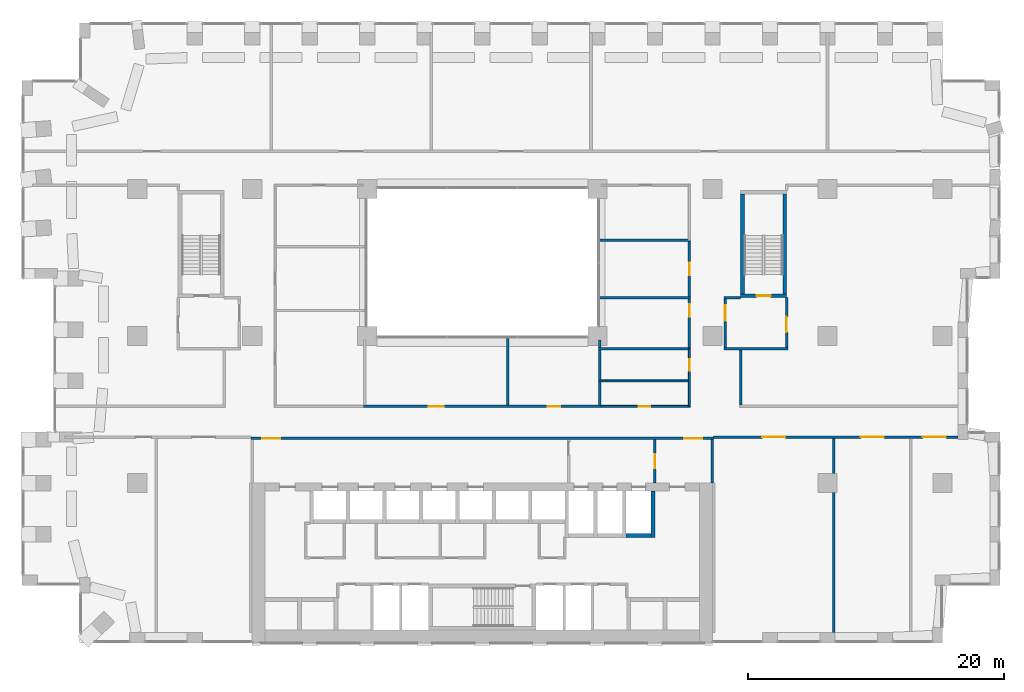
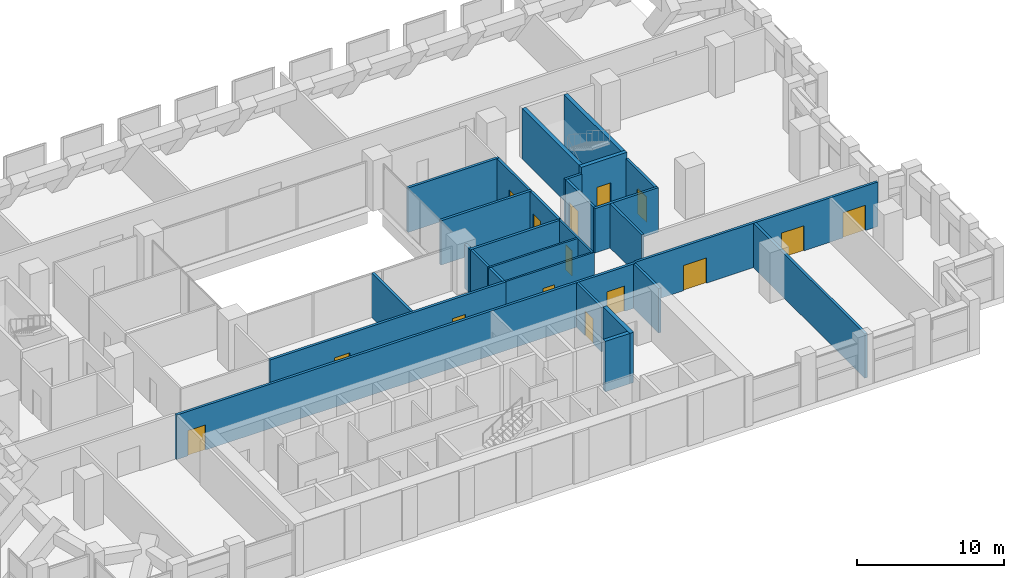
# One storey, part 17 of 20: 27 walls, 15 doors, 15 openings.
"""IFC4 building model written with IfcOpenShell, lengths in metres."""

from ifc_helpers import new_model, si_unit, direction, frame, frame_2d, origin, place, context, subcontext, project, spatial, rectangle, extrude, material, layer, layer_set, type_object, element, fill, save


model = new_model("IFC4")

# Units and contexts
model_context = context("Model", 3, precision=1e-05, world=origin(), true_north=direction((0.0, 1.0)))
body_context = subcontext(model_context, "Body", "Model", "MODEL_VIEW")
ifc_project = project(units=[si_unit("LENGTHUNIT", "METRE"), si_unit("AREAUNIT", "SQUARE_METRE"), si_unit("VOLUMEUNIT", "CUBIC_METRE"), si_unit("PLANEANGLEUNIT", "RADIAN"), si_unit("MASSUNIT", "GRAM", prefix="KILO")], contexts=[model_context])

# Site, building, storey
site_placement = place(None, origin())
site = spatial("IfcSite", under=ifc_project, at=site_placement, CompositionType="ELEMENT")
building_placement = place(site_placement, origin())
building = spatial("IfcBuilding", under=site, at=building_placement, Name="Brigalow Station Residences", CompositionType="ELEMENT")
storey_placement = place(building_placement, frame((0.0, 0.0, 73.050048828125)))
storey = spatial("IfcBuildingStorey", under=building, at=storey_placement, Name="L21", CompositionType="ELEMENT", Elevation=73.050048828125)

# Walls
ifc_material_1 = material(Name="Concrete C80", Category="concrete")
ifc_layer_1 = layer(ifc_material_1, 0.300048828125)
ifc_layer_set_1 = layer_set([ifc_layer_1], Name="CORE SHEAR WALL 300 C80")
wall_type_1 = type_object("IfcWallType", Name="CORE SHEAR WALL 300 C80", PredefinedType="SHEAR", material=ifc_layer_set_1)
wall_1_placement = place(storey_placement, frame((47.25, 8.39990234375, 0.0), z_axis=(0.0, 0.0, 1.0), x_axis=(1.0, 0.0, 0.0)))
element("IfcWall", 1, at=wall_1_placement, inside=storey, type_object=wall_type_1, Name="CORE WALL SH-SL1-S L21", PredefinedType="SHEAR", context=body_context, shape_type="SweptSolid", body=[
    extrude(rectangle(XDim=1.949951171875, YDim=0.300048828125, at=frame_2d((0.97509765625, 0.0))), origin(), (0.0, 0.0, 1.0), 4.199951171875),
])
wall_2_placement = place(storey_placement, frame((49.35009765625, 8.25, 0.0), z_axis=(0.0, 0.0, 1.0), x_axis=(0.0, 1.0, 0.0)))
element("IfcWall", 2, at=wall_2_placement, inside=storey, type_object=wall_type_1, Name="CORE WALL SH-SL1-E L21", PredefinedType="SHEAR", context=body_context, shape_type="SweptSolid", body=[
    extrude(rectangle(XDim=3.64990234375, YDim=0.300048828125, at=frame_2d((1.824951171875, 0.0))), origin(), (0.0, 0.0, 1.0), 4.199951171875),
])

# Wall, opening, door
wall_3_placement = place(storey_placement, frame((56.199951171875, 27.14990234375, 0.0), z_axis=(0.0, 0.0, 1.0), x_axis=(1.0, 0.0, 0.0)))
wall_3 = element("IfcWall", 3, at=wall_3_placement, inside=storey, type_object=wall_type_1, Name="CORE WALL ST-S3-S L21", PredefinedType="SHEAR", context=body_context, shape_type="SweptSolid", body=[
    extrude(rectangle(XDim=3.60009765625, YDim=0.300048828125, at=frame_2d((1.800048828125, 0.0))), origin(), (0.0, 0.0, 1.0), 4.199951171875),
])
opening_1_placement = place(wall_3_placement, frame((1.25, 0.0, 0.0)))
opening_1 = element("IfcOpeningElement", 4, at=opening_1_placement, cuts=wall_3, Name="Opening D-5018", PredefinedType="OPENING", context=body_context, shape_type="SweptSolid", body=[
    extrude(rectangle(XDim=1.10009765625, YDim=2.10009765625, at=frame_2d((0.550048828125, 1.050048828125))), frame((0.0, 0.16015625, 0.0), z_axis=(0.0, -1.0, 0.0), x_axis=(1.0, 0.0, 0.0)), (0.0, 0.0, 1.0), 0.320068359375),
])
ifc_material_2 = material(Name="Steel fire door leaf in steel frame", Category="steel")
door_type_1 = type_object("IfcDoorType", Name="STAIR DOOR 1100 x 2100 FD60S", OperationType="SINGLE_SWING_LEFT", PredefinedType="DOOR", material=ifc_material_2)
door_1_placement = place(opening_1_placement, origin())
door_1 = element("IfcDoor", 5, at=door_1_placement, inside=storey, type_object=door_type_1, Name="D-5018", OperationType="SINGLE_SWING_LEFT", OverallHeight=2.10009765625, OverallWidth=1.10009765625, PredefinedType="DOOR", context=body_context, shape_type="SweptSolid", body=[
    extrude(rectangle(XDim=1.10009765625, YDim=2.10009765625, at=frame_2d((0.550048828125, 1.050048828125))), frame((0.0, 0.02490234375, 0.0), z_axis=(0.0, -1.0, 0.0), x_axis=(1.0, 0.0, 0.0)), (0.0, 0.0, 1.0), 0.050048828125),
])
fill(opening_1, door_1)

# Walls
for number, where, z_axis, x_axis, name in (
    (6, (56.35009765625, 27.300048828125, 0.0), (0.0, 0.0, 1.0), (0.0, 1.0, 0.0), "CORE WALL ST-S3-W L21"),
    (7, (59.64990234375, 27.300048828125, 0.0), (0.0, 0.0, 1.0), (0.0, 1.0, 0.0), "CORE WALL ST-S3-E L21"),
):
    element("IfcWall", number, at=place(storey_placement, frame(where, z_axis=z_axis, x_axis=x_axis)), inside=storey, type_object=wall_type_1, Name=name, PredefinedType="SHEAR", context=body_context, shape_type="SweptSolid", body=[
        extrude(rectangle(XDim=7.800048828125, YDim=0.300048828125, at=frame_2d((3.89990234375, 0.0))), origin(), (0.0, 0.0, 1.0), 4.199951171875),
    ])
ifc_material_3 = material(Name="Concrete blockwork", Category="masonry")
ifc_layer_2 = layer(ifc_material_3, 0.199951171875)
ifc_layer_set_2 = layer_set([ifc_layer_2], Name="FIRE RATED CORE PARTITION 200")
wall_type_2 = type_object("IfcWallType", Name="FIRE RATED CORE PARTITION 200", PredefinedType="PARTITIONING", material=ifc_layer_set_2)
wall_4_placement = place(storey_placement, frame((54.89990234375, 23.0, 0.0), z_axis=(0.0, 0.0, 1.0), x_axis=(1.0, 0.0, 0.0)))
element("IfcWall", 8, at=wall_4_placement, inside=storey, type_object=wall_type_2, Name="PW-5024", PredefinedType="PARTITIONING", context=body_context, shape_type="SweptSolid", body=[
    extrude(rectangle(XDim=5.0, YDim=0.199951171875, at=frame_2d((2.5, 0.0))), origin(), (0.0, 0.0, 1.0), 3.699951171875),
])
wall_5_placement = place(storey_placement, frame((54.89990234375, 27.0, 0.0), z_axis=(0.0, 0.0, 1.0), x_axis=(1.0, 0.0, 0.0)))
element("IfcWall", 9, at=wall_5_placement, inside=storey, type_object=wall_type_2, Name="PW-5026", PredefinedType="PARTITIONING", context=body_context, shape_type="SweptSolid", body=[
    extrude(rectangle(XDim=1.300048828125, YDim=0.199951171875, at=frame_2d((0.64990234375, 0.0))), origin(), (0.0, 0.0, 1.0), 3.699951171875),
])

# Wall, opening, door
wall_6_placement = place(storey_placement, frame((49.5, 12.5, 0.0), z_axis=(0.0, 0.0, 1.0), x_axis=(0.0, 1.0, 0.0)))
wall_6 = element("IfcWall", 10, at=wall_6_placement, inside=storey, type_object=wall_type_2, Name="PW-5015", PredefinedType="PARTITIONING", context=body_context, shape_type="SweptSolid", body=[
    extrude(rectangle(XDim=3.39990234375, YDim=0.199951171875, at=frame_2d((1.699951171875, 0.0))), origin(), (0.0, 0.0, 1.0), 3.699951171875),
])
opening_2_placement = place(wall_6_placement, frame((1.14990234375, 0.0, 0.0)))
opening_2 = element("IfcOpeningElement", 11, at=opening_2_placement, cuts=wall_6, Name="Opening D-5014", PredefinedType="OPENING", context=body_context, shape_type="SweptSolid", body=[
    extrude(rectangle(XDim=1.10009765625, YDim=2.10009765625, at=frame_2d((0.550048828125, 1.050048828125))), frame((0.0, 0.10986328125, 0.0), z_axis=(0.0, -1.0, 0.0), x_axis=(1.0, 0.0, 0.0)), (0.0, 0.0, 1.0), 0.219970703125),
])
ifc_material_4 = material(Name="Steel fire door leaf in steel frame", Category="steel")
door_type_2 = type_object("IfcDoorType", Name="LOBBY DOOR 1100 x 2100 FD60S", OperationType="SINGLE_SWING_LEFT", PredefinedType="DOOR", material=ifc_material_4)
door_2_placement = place(opening_2_placement, origin())
door_2 = element("IfcDoor", 12, at=door_2_placement, inside=storey, type_object=door_type_2, Name="D-5014", OperationType="SINGLE_SWING_RIGHT", OverallHeight=2.10009765625, OverallWidth=1.10009765625, PredefinedType="DOOR", context=body_context, shape_type="SweptSolid", body=[
    extrude(rectangle(XDim=1.10009765625, YDim=2.10009765625, at=frame_2d((0.550048828125, 1.050048828125))), frame((0.0, 0.02490234375, 0.0), z_axis=(0.0, -1.0, 0.0), x_axis=(1.0, 0.0, 0.0)), (0.0, 0.0, 1.0), 0.050048828125),
])
fill(opening_2, door_2)

# Wall
wall_7_placement = place(storey_placement, frame((54.0, 12.5, 0.0), z_axis=(0.0, 0.0, 1.0), x_axis=(0.0, 1.0, 0.0)))
element("IfcWall", 13, at=wall_7_placement, inside=storey, type_object=wall_type_2, Name="PW-5016", PredefinedType="PARTITIONING", context=body_context, shape_type="SweptSolid", body=[
    extrude(rectangle(XDim=3.39990234375, YDim=0.199951171875, at=frame_2d((1.699951171875, 0.0))), origin(), (0.0, 0.0, 1.0), 3.699951171875),
])

# Wall, opening, door
wall_8_placement = place(storey_placement, frame((55.0, 23.10009765625, 0.0), z_axis=(0.0, 0.0, 1.0), x_axis=(0.0, 1.0, 0.0)))
wall_8 = element("IfcWall", 14, at=wall_8_placement, inside=storey, type_object=wall_type_2, Name="PW-5036", PredefinedType="PARTITIONING", context=body_context, shape_type="SweptSolid", body=[
    extrude(rectangle(XDim=3.7998046875, YDim=0.199951171875, at=frame_2d((1.89990234375, 0.0))), origin(), (0.0, 0.0, 1.0), 3.699951171875),
])
opening_3_placement = place(wall_8_placement, frame((2.10009765625, 0.0, 0.0)))
opening_3 = element("IfcOpeningElement", 15, at=opening_3_placement, cuts=wall_8, Name="Opening D-5019", PredefinedType="OPENING", context=body_context, shape_type="SweptSolid", body=[
    extrude(rectangle(XDim=1.199951171875, YDim=2.10009765625, at=frame_2d((0.60009765625, 1.050048828125))), frame((0.0, 0.10986328125, 0.0), z_axis=(0.0, -1.0, 0.0), x_axis=(1.0, 0.0, 0.0)), (0.0, 0.0, 1.0), 0.219970703125),
])
ifc_material_5 = material(Name="Steel fire door leaf in steel frame", Category="steel")
door_type_3 = type_object("IfcDoorType", Name="STAIR LOBBY DOOR 1200 x 2100 FD60S", OperationType="SINGLE_SWING_LEFT", PredefinedType="DOOR", material=ifc_material_5)
door_3_placement = place(opening_3_placement, origin())
door_3 = element("IfcDoor", 16, at=door_3_placement, inside=storey, type_object=door_type_3, Name="D-5019", OperationType="SINGLE_SWING_LEFT", OverallHeight=2.10009765625, OverallWidth=1.199951171875, PredefinedType="DOOR", context=body_context, shape_type="SweptSolid", body=[
    extrude(rectangle(XDim=1.199951171875, YDim=2.10009765625, at=frame_2d((0.60009765625, 1.050048828125))), frame((0.0, 0.02490234375, 0.0), z_axis=(0.0, -1.0, 0.0), x_axis=(1.0, 0.0, 0.0)), (0.0, 0.0, 1.0), 0.050048828125),
])
fill(opening_3, door_3)

wall_9_placement = place(storey_placement, frame((59.800048828125, 23.10009765625, 0.0), z_axis=(0.0, 0.0, 1.0), x_axis=(0.0, 1.0, 0.0)))
wall_9 = element("IfcWall", 17, at=wall_9_placement, inside=storey, type_object=wall_type_2, Name="PW-5037", PredefinedType="PARTITIONING", context=body_context, shape_type="SweptSolid", body=[
    extrude(rectangle(XDim=3.89990234375, YDim=0.199951171875, at=frame_2d((1.949951171875, 0.0))), origin(), (0.0, 0.0, 1.0), 3.699951171875),
])
opening_4_placement = place(wall_9_placement, frame((1.199951171875, 0.0, 0.0)))
opening_4 = element("IfcOpeningElement", 18, at=opening_4_placement, cuts=wall_9, Name="Opening D-5109", PredefinedType="OPENING", context=body_context, shape_type="SweptSolid", body=[
    extrude(rectangle(XDim=1.199951171875, YDim=2.10009765625, at=frame_2d((0.60009765625, 1.050048828125))), frame((0.0, 0.10986328125, 0.0), z_axis=(0.0, -1.0, 0.0), x_axis=(1.0, 0.0, 0.0)), (0.0, 0.0, 1.0), 0.219970703125),
])
ifc_material_6 = material(Name="Steel fire door leaves in steel frame", Category="steel")
door_type_4 = type_object("IfcDoorType", Name="REFUGE AREA DOOR 1200 x 2100 FD60S", OperationType="SINGLE_SWING_LEFT", PredefinedType="DOOR", material=ifc_material_6)
door_4_placement = place(opening_4_placement, origin())
door_4 = element("IfcDoor", 19, at=door_4_placement, inside=storey, type_object=door_type_4, Name="D-5109", OperationType="SINGLE_SWING_LEFT", OverallHeight=2.10009765625, OverallWidth=1.199951171875, PredefinedType="DOOR", context=body_context, shape_type="SweptSolid", body=[
    extrude(rectangle(XDim=1.199951171875, YDim=2.10009765625, at=frame_2d((0.60009765625, 1.050048828125))), frame((0.0, 0.02490234375, 0.0), z_axis=(0.0, -1.0, 0.0), x_axis=(1.0, 0.0, 0.0)), (0.0, 0.0, 1.0), 0.050048828125),
])
fill(opening_4, door_4)

# Wall, openings, doors
wall_10_placement = place(storey_placement, frame((17.89990234375, 16.0, 0.0), z_axis=(0.0, 0.0, 1.0), x_axis=(1.0, 0.0, 0.0)))
wall_10 = element("IfcWall", 20, at=wall_10_placement, inside=storey, type_object=wall_type_2, Name="PW-5038", PredefinedType="PARTITIONING", context=body_context, shape_type="SweptSolid", body=[
    extrude(rectangle(XDim=36.2001953125, YDim=0.199951171875, at=frame_2d((18.10009765625, 0.0))), origin(), (0.0, 0.0, 1.0), 3.699951171875),
])
opening_5_placement = place(wall_10_placement, frame((0.89990234375, 0.0, 0.0)))
opening_5 = element("IfcOpeningElement", 21, at=opening_5_placement, cuts=wall_10, Name="Opening D-5029", PredefinedType="OPENING", context=body_context, shape_type="SweptSolid", body=[
    extrude(rectangle(XDim=1.39990234375, YDim=2.10009765625, at=frame_2d((0.699951171875, 1.050048828125))), frame((0.0, 0.10986328125, 0.0), z_axis=(0.0, -1.0, 0.0), x_axis=(1.0, 0.0, 0.0)), (0.0, 0.0, 1.0), 0.219970703125),
])
opening_6_placement = place(wall_10_placement, frame((33.89990234375, 0.0, 0.0)))
opening_6 = element("IfcOpeningElement", 22, at=opening_6_placement, cuts=wall_10, Name="Opening D-5030", PredefinedType="OPENING", context=body_context, shape_type="SweptSolid", body=[
    extrude(rectangle(XDim=1.39990234375, YDim=2.10009765625, at=frame_2d((0.699951171875, 1.050048828125))), frame((0.0, 0.10986328125, 0.0), z_axis=(0.0, -1.0, 0.0), x_axis=(1.0, 0.0, 0.0)), (0.0, 0.0, 1.0), 0.219970703125),
])
ifc_material_7 = material(Name="Steel fire door leaves in steel frame", Category="steel")
door_type_5 = type_object("IfcDoorType", Name="CORRIDOR FIRE DOOR 1400 x 2100 FD60S", OperationType="SINGLE_SWING_LEFT", PredefinedType="DOOR", material=ifc_material_7)
door_5_placement = place(opening_5_placement, frame((1.39990234375, 0.0, 0.0), z_axis=(0.0, 0.0, 1.0), x_axis=(-1.0, 0.0, 0.0)))
door_5 = element("IfcDoor", 23, at=door_5_placement, inside=storey, type_object=door_type_5, Name="D-5029", OperationType="SINGLE_SWING_RIGHT", OverallHeight=2.10009765625, OverallWidth=1.39990234375, PredefinedType="DOOR", context=body_context, shape_type="SweptSolid", body=[
    extrude(rectangle(XDim=1.39990234375, YDim=2.10009765625, at=frame_2d((0.699951171875, 1.050048828125))), frame((0.0, 0.02490234375, 0.0), z_axis=(0.0, -1.0, 0.0), x_axis=(1.0, 0.0, 0.0)), (0.0, 0.0, 1.0), 0.050048828125),
])
fill(opening_5, door_5)
door_6_placement = place(opening_6_placement, origin())
door_6 = element("IfcDoor", 24, at=door_6_placement, inside=storey, type_object=door_type_5, Name="D-5030", OperationType="SINGLE_SWING_RIGHT", OverallHeight=2.10009765625, OverallWidth=1.39990234375, PredefinedType="DOOR", context=body_context, shape_type="SweptSolid", body=[
    extrude(rectangle(XDim=1.39990234375, YDim=2.10009765625, at=frame_2d((0.699951171875, 1.050048828125))), frame((0.0, 0.02490234375, 0.0), z_axis=(0.0, -1.0, 0.0), x_axis=(1.0, 0.0, 0.0)), (0.0, 0.0, 1.0), 0.050048828125),
])
fill(opening_6, door_6)

wall_11_placement = place(storey_placement, frame((54.10009765625, 16.10009765625, 0.0), z_axis=(0.0, 0.0, 1.0), x_axis=(1.0, 0.0, 0.0)))
wall_11 = element("IfcWall", 25, at=wall_11_placement, inside=storey, type_object=wall_type_2, Name="PW-5065", PredefinedType="PARTITIONING", context=body_context, shape_type="SweptSolid", body=[
    extrude(rectangle(XDim=19.099853515625, YDim=0.199951171875, at=frame_2d((9.5498046875, 0.0))), origin(), (0.0, 0.0, 1.0), 3.699951171875),
])
opening_7_placement = place(wall_11_placement, frame((3.800048828125, 0.0, 0.0)))
opening_7 = element("IfcOpeningElement", 26, at=opening_7_placement, cuts=wall_11, Name="Opening D-5090", PredefinedType="OPENING", context=body_context, shape_type="SweptSolid", body=[
    extrude(rectangle(XDim=1.800048828125, YDim=2.10009765625, at=frame_2d((0.89990234375, 1.050048828125))), frame((0.0, 0.10986328125, 0.0), z_axis=(0.0, -1.0, 0.0), x_axis=(1.0, 0.0, 0.0)), (0.0, 0.0, 1.0), 0.219970703125),
])
opening_8_placement = place(wall_11_placement, frame((11.5, 0.0, 0.0)))
opening_8 = element("IfcOpeningElement", 27, at=opening_8_placement, cuts=wall_11, Name="Opening D-5091", PredefinedType="OPENING", context=body_context, shape_type="SweptSolid", body=[
    extrude(rectangle(XDim=1.800048828125, YDim=2.10009765625, at=frame_2d((0.89990234375, 1.050048828125))), frame((0.0, 0.10986328125, 0.0), z_axis=(0.0, -1.0, 0.0), x_axis=(1.0, 0.0, 0.0)), (0.0, 0.0, 1.0), 0.219970703125),
])
opening_9_placement = place(wall_11_placement, frame((16.35009765625, 0.0, 0.0)))
opening_9 = element("IfcOpeningElement", 28, at=opening_9_placement, cuts=wall_11, Name="Opening D-5092", PredefinedType="OPENING", context=body_context, shape_type="SweptSolid", body=[
    extrude(rectangle(XDim=1.800048828125, YDim=2.10009765625, at=frame_2d((0.89990234375, 1.050048828125))), frame((0.0, 0.10986328125, 0.0), z_axis=(0.0, -1.0, 0.0), x_axis=(1.0, 0.0, 0.0)), (0.0, 0.0, 1.0), 0.219970703125),
])
ifc_material_8 = material(Name="Steel fire door leaf in steel frame", Category="steel")
door_type_6 = type_object("IfcDoorType", Name="PLANT ROOM DOOR 1800 x 2100 FD60", OperationType="DOUBLE_DOOR_SINGLE_SWING", PredefinedType="DOOR", material=ifc_material_8)
door_7_placement = place(opening_7_placement, frame((1.800048828125, 0.0, 0.0), z_axis=(0.0, 0.0, 1.0), x_axis=(-1.0, 0.0, 0.0)))
door_7 = element("IfcDoor", 29, at=door_7_placement, inside=storey, type_object=door_type_6, Name="D-5090", OperationType="DOUBLE_DOOR_SINGLE_SWING", OverallHeight=2.10009765625, OverallWidth=1.800048828125, PredefinedType="DOOR", context=body_context, shape_type="SweptSolid", body=[
    extrude(rectangle(XDim=1.800048828125, YDim=2.10009765625, at=frame_2d((0.89990234375, 1.050048828125))), frame((0.0, 0.02490234375, 0.0), z_axis=(0.0, -1.0, 0.0), x_axis=(1.0, 0.0, 0.0)), (0.0, 0.0, 1.0), 0.050048828125),
])
fill(opening_7, door_7)
door_8_placement = place(opening_8_placement, frame((1.800048828125, 0.0, 0.0), z_axis=(0.0, 0.0, 1.0), x_axis=(-1.0, 0.0, 0.0)))
door_8 = element("IfcDoor", 30, at=door_8_placement, inside=storey, type_object=door_type_6, Name="D-5091", OperationType="DOUBLE_DOOR_SINGLE_SWING", OverallHeight=2.10009765625, OverallWidth=1.800048828125, PredefinedType="DOOR", context=body_context, shape_type="SweptSolid", body=[
    extrude(rectangle(XDim=1.800048828125, YDim=2.10009765625, at=frame_2d((0.89990234375, 1.050048828125))), frame((0.0, 0.02490234375, 0.0), z_axis=(0.0, -1.0, 0.0), x_axis=(1.0, 0.0, 0.0)), (0.0, 0.0, 1.0), 0.050048828125),
])
fill(opening_8, door_8)
door_9_placement = place(opening_9_placement, frame((1.800048828125, 0.0, 0.0), z_axis=(0.0, 0.0, 1.0), x_axis=(-1.0, 0.0, 0.0)))
door_9 = element("IfcDoor", 31, at=door_9_placement, inside=storey, type_object=door_type_6, Name="D-5092", OperationType="DOUBLE_DOOR_SINGLE_SWING", OverallHeight=2.10009765625, OverallWidth=1.800048828125, PredefinedType="DOOR", context=body_context, shape_type="SweptSolid", body=[
    extrude(rectangle(XDim=1.800048828125, YDim=2.10009765625, at=frame_2d((0.89990234375, 1.050048828125))), frame((0.0, 0.02490234375, 0.0), z_axis=(0.0, -1.0, 0.0), x_axis=(1.0, 0.0, 0.0)), (0.0, 0.0, 1.0), 0.050048828125),
])
fill(opening_9, door_9)

wall_12_placement = place(storey_placement, frame((26.699951171875, 18.5, 0.0), z_axis=(0.0, 0.0, 1.0), x_axis=(1.0, 0.0, 0.0)))
wall_12 = element("IfcWall", 32, at=wall_12_placement, inside=storey, type_object=wall_type_2, Name="PW-5161", PredefinedType="PARTITIONING", context=body_context, shape_type="SweptSolid", body=[
    extrude(rectangle(XDim=18.60009765625, YDim=0.199951171875, at=frame_2d((9.300048828125, 0.0))), origin(), (0.0, 0.0, 1.0), 3.699951171875),
])
opening_10_placement = place(wall_12_placement, frame((5.10009765625, 0.0, 0.0)))
opening_10 = element("IfcOpeningElement", 33, at=opening_10_placement, cuts=wall_12, Name="Opening D-5101", PredefinedType="OPENING", context=body_context, shape_type="SweptSolid", body=[
    extrude(rectangle(XDim=1.199951171875, YDim=2.10009765625, at=frame_2d((0.60009765625, 1.050048828125))), frame((0.0, 0.10986328125, 0.0), z_axis=(0.0, -1.0, 0.0), x_axis=(1.0, 0.0, 0.0)), (0.0, 0.0, 1.0), 0.219970703125),
])
opening_11_placement = place(wall_12_placement, frame((14.39990234375, 0.0, 0.0)))
opening_11 = element("IfcOpeningElement", 34, at=opening_11_placement, cuts=wall_12, Name="Opening D-5102", PredefinedType="OPENING", context=body_context, shape_type="SweptSolid", body=[
    extrude(rectangle(XDim=1.0, YDim=2.10009765625, at=frame_2d((0.5, 1.050048828125))), frame((0.0, 0.10986328125, 0.0), z_axis=(0.0, -1.0, 0.0), x_axis=(1.0, 0.0, 0.0)), (0.0, 0.0, 1.0), 0.219970703125),
])
ifc_material_9 = material(Name="Steel fire door leaf in steel frame", Category="steel")
door_type_7 = type_object("IfcDoorType", Name="PLANT ROOM DOOR 1000 x 2100 FD60", OperationType="SINGLE_SWING_LEFT", PredefinedType="DOOR", material=ifc_material_9)
door_10_placement = place(opening_11_placement, origin())
door_10 = element("IfcDoor", 35, at=door_10_placement, inside=storey, type_object=door_type_7, Name="D-5102", OperationType="SINGLE_SWING_LEFT", OverallHeight=2.10009765625, OverallWidth=1.0, PredefinedType="DOOR", context=body_context, shape_type="SweptSolid", body=[
    extrude(rectangle(XDim=1.0, YDim=2.10009765625, at=frame_2d((0.5, 1.050048828125))), frame((0.0, 0.02490234375, 0.0), z_axis=(0.0, -1.0, 0.0), x_axis=(1.0, 0.0, 0.0)), (0.0, 0.0, 1.0), 0.050048828125),
])
fill(opening_11, door_10)
door_11_placement = place(opening_10_placement, frame((1.199951171875, 0.0, 0.0), z_axis=(0.0, 0.0, 1.0), x_axis=(-1.0, 0.0, 0.0)))
door_11 = element("IfcDoor", 36, at=door_11_placement, inside=storey, type_object=door_type_4, Name="D-5101", OperationType="SINGLE_SWING_RIGHT", OverallHeight=2.10009765625, OverallWidth=1.199951171875, PredefinedType="DOOR", context=body_context, shape_type="SweptSolid", body=[
    extrude(rectangle(XDim=1.199951171875, YDim=2.10009765625, at=frame_2d((0.60009765625, 1.050048828125))), frame((0.0, 0.02490234375, 0.0), z_axis=(0.0, -1.0, 0.0), x_axis=(1.0, 0.0, 0.0)), (0.0, 0.0, 1.0), 0.050048828125),
])
fill(opening_10, door_11)

# Walls
wall_13_placement = place(storey_placement, frame((45.10009765625, 23.0, 0.0), z_axis=(0.0, 0.0, 1.0), x_axis=(1.0, 0.0, 0.0)))
element("IfcWall", 37, at=wall_13_placement, inside=storey, type_object=wall_type_2, Name="PW-5166", PredefinedType="PARTITIONING", context=body_context, shape_type="SweptSolid", body=[
    extrude(rectangle(XDim=7.1748046875, YDim=0.199951171875, at=frame_2d((3.58740234375, 0.0))), origin(), (0.0, 0.0, 1.0), 3.699951171875),
])
wall_14_placement = place(storey_placement, frame((45.095947265625, 27.0, 0.0), z_axis=(0.0, 0.0, 1.0), x_axis=(1.0, 0.0, 0.0)))
element("IfcWall", 38, at=wall_14_placement, inside=storey, type_object=wall_type_2, Name="PW-5168", PredefinedType="PARTITIONING", context=body_context, shape_type="SweptSolid", body=[
    extrude(rectangle(XDim=7.2041015625, YDim=0.199951171875, at=frame_2d((3.60205078125, 0.0))), origin(), (0.0, 0.0, 1.0), 3.699951171875),
])
wall_15_placement = place(storey_placement, frame((45.095947265625, 31.5, 0.0), z_axis=(0.0, 0.0, 1.0), x_axis=(1.0, 0.0, 0.0)))
element("IfcWall", 39, at=wall_15_placement, inside=storey, type_object=wall_type_2, Name="PW-5170", PredefinedType="PARTITIONING", context=body_context, shape_type="SweptSolid", body=[
    extrude(rectangle(XDim=7.178955078125, YDim=0.199951171875, at=frame_2d((3.58935546875, 0.0))), origin(), (0.0, 0.0, 1.0), 3.699951171875),
])
wall_16_placement = place(storey_placement, frame((63.5, 0.800048828125, 0.0), z_axis=(0.0, 0.0, 1.0), x_axis=(0.0, 1.0, 0.0)))
element("IfcWall", 40, at=wall_16_placement, inside=storey, type_object=wall_type_2, Name="PW-5179", PredefinedType="PARTITIONING", context=body_context, shape_type="SweptSolid", body=[
    extrude(rectangle(XDim=15.199951171875, YDim=0.199951171875, at=frame_2d((7.60009765625, 0.0))), origin(), (0.0, 0.0, 1.0), 3.699951171875),
])
wall_17_placement = place(storey_placement, frame((45.199951171875, 18.574951171875, 0.0), z_axis=(0.0, 0.0, 1.0), x_axis=(0.0, 1.0, 0.0)))
element("IfcWall", 41, at=wall_17_placement, inside=storey, type_object=wall_type_2, Name="PW-5183", PredefinedType="PARTITIONING", context=body_context, shape_type="SweptSolid", body=[
    extrude(rectangle(XDim=1.85009765625, YDim=0.199951171875, at=frame_2d((0.925048828125, 0.0))), origin(), (0.0, 0.0, 1.0), 3.699951171875),
])
wall_18_placement = place(storey_placement, frame((38.0, 18.60009765625, 0.0), z_axis=(0.0, 0.0, 1.0), x_axis=(0.0, 1.0, 0.0)))
element("IfcWall", 42, at=wall_18_placement, inside=storey, type_object=wall_type_2, Name="PW-5184", PredefinedType="PARTITIONING", context=body_context, shape_type="SweptSolid", body=[
    extrude(rectangle(XDim=5.303955078125, YDim=0.199951171875, at=frame_2d((2.65185546875, 0.0))), origin(), (0.0, 0.0, 1.0), 3.699951171875),
])
wall_19_placement = place(storey_placement, frame((56.199951171875, 18.60009765625, 0.0), z_axis=(0.0, 0.0, 1.0), x_axis=(0.0, 1.0, 0.0)))
element("IfcWall", 43, at=wall_19_placement, inside=storey, type_object=wall_type_2, Name="PW-5095", PredefinedType="PARTITIONING", context=body_context, shape_type="SweptSolid", body=[
    extrude(rectangle(XDim=4.2998046875, YDim=0.199951171875, at=frame_2d((2.14990234375, 0.0))), origin(), (0.0, 0.0, 1.0), 3.699951171875),
])
wall_20_placement = place(storey_placement, frame((45.199951171875, 20.574951171875, 0.0), z_axis=(0.0, 0.0, 1.0), x_axis=(0.0, 1.0, 0.0)))
element("IfcWall", 44, at=wall_20_placement, inside=storey, type_object=wall_type_2, Name="PW-5185", PredefinedType="PARTITIONING", context=body_context, shape_type="SweptSolid", body=[
    extrude(rectangle(XDim=2.324951171875, YDim=0.199951171875, at=frame_2d((1.16259765625, 0.0))), origin(), (0.0, 0.0, 1.0), 3.699951171875),
])

# Wall, openings, doors
wall_21_placement = place(storey_placement, frame((52.199951171875, 23.0, 0.0), z_axis=(0.0, 0.0, 1.0), x_axis=(0.0, 1.0, 0.0)))
wall_21 = element("IfcWall", 45, at=wall_21_placement, inside=storey, type_object=wall_type_2, Name="PW-5186", PredefinedType="PARTITIONING", context=body_context, shape_type="SweptSolid", body=[
    extrude(rectangle(XDim=8.5, YDim=0.199951171875, at=frame_2d((4.25, 0.0))), origin(), (0.0, 0.0, 1.0), 3.699951171875),
])
opening_12_placement = place(wall_21_placement, frame((2.5, 0.0, 0.0)))
opening_12 = element("IfcOpeningElement", 46, at=opening_12_placement, cuts=wall_21, Name="Opening D-5098", PredefinedType="OPENING", context=body_context, shape_type="SweptSolid", body=[
    extrude(rectangle(XDim=1.0, YDim=2.10009765625, at=frame_2d((0.5, 1.050048828125))), frame((0.0, 0.10986328125, 0.0), z_axis=(0.0, -1.0, 0.0), x_axis=(1.0, 0.0, 0.0)), (0.0, 0.0, 1.0), 0.219970703125),
])
opening_13_placement = place(wall_21_placement, frame((5.75, 0.0, 0.0)))
opening_13 = element("IfcOpeningElement", 47, at=opening_13_placement, cuts=wall_21, Name="Opening D-5099", PredefinedType="OPENING", context=body_context, shape_type="SweptSolid", body=[
    extrude(rectangle(XDim=1.0, YDim=2.10009765625, at=frame_2d((0.5, 1.050048828125))), frame((0.0, 0.10986328125, 0.0), z_axis=(0.0, -1.0, 0.0), x_axis=(1.0, 0.0, 0.0)), (0.0, 0.0, 1.0), 0.219970703125),
])
door_12_placement = place(opening_12_placement, origin())
door_12 = element("IfcDoor", 48, at=door_12_placement, inside=storey, type_object=door_type_7, Name="D-5098", OperationType="SINGLE_SWING_RIGHT", OverallHeight=2.10009765625, OverallWidth=1.0, PredefinedType="DOOR", context=body_context, shape_type="SweptSolid", body=[
    extrude(rectangle(XDim=1.0, YDim=2.10009765625, at=frame_2d((0.5, 1.050048828125))), frame((0.0, 0.02490234375, 0.0), z_axis=(0.0, -1.0, 0.0), x_axis=(1.0, 0.0, 0.0)), (0.0, 0.0, 1.0), 0.050048828125),
])
fill(opening_12, door_12)
door_13_placement = place(opening_13_placement, origin())
door_13 = element("IfcDoor", 49, at=door_13_placement, inside=storey, type_object=door_type_7, Name="D-5099", OperationType="SINGLE_SWING_RIGHT", OverallHeight=2.10009765625, OverallWidth=1.0, PredefinedType="DOOR", context=body_context, shape_type="SweptSolid", body=[
    extrude(rectangle(XDim=1.0, YDim=2.10009765625, at=frame_2d((0.5, 1.050048828125))), frame((0.0, 0.02490234375, 0.0), z_axis=(0.0, -1.0, 0.0), x_axis=(1.0, 0.0, 0.0)), (0.0, 0.0, 1.0), 0.050048828125),
])
fill(opening_13, door_13)

# Wall
wall_22_placement = place(storey_placement, frame((45.199951171875, 23.10009765625, 0.0), z_axis=(0.0, 0.0, 1.0), x_axis=(0.0, 1.0, 0.0)))
element("IfcWall", 50, at=wall_22_placement, inside=storey, type_object=wall_type_2, Name="PW-5187", PredefinedType="PARTITIONING", context=body_context, shape_type="SweptSolid", body=[
    extrude(rectangle(XDim=0.599853515625, YDim=0.199951171875, at=frame_2d((0.2998046875, 0.0))), origin(), (0.0, 0.0, 1.0), 3.699951171875),
])

# Wall, opening, door
ifc_material_10 = material(Name="Plasterboard on steel studs", Category="steel")
ifc_layer_3 = layer(ifc_material_10, 0.14990234375)
ifc_layer_set_3 = layer_set([ifc_layer_3], Name="SERVICE ROOM PARTITION 150")
wall_type_3 = type_object("IfcWallType", Name="SERVICE ROOM PARTITION 150", PredefinedType="PARTITIONING", material=ifc_layer_set_3)
wall_23_placement = place(storey_placement, frame((45.300048828125, 18.5, 0.0), z_axis=(0.0, 0.0, 1.0), x_axis=(1.0, 0.0, 0.0)))
wall_23 = element("IfcWall", 51, at=wall_23_placement, inside=storey, type_object=wall_type_3, Name="PW-5164", PredefinedType="PARTITIONING", context=body_context, shape_type="SweptSolid", body=[
    extrude(rectangle(XDim=6.974853515625, YDim=0.14990234375, at=frame_2d((3.4873046875, 0.0))), origin(), (0.0, 0.0, 1.0), 3.699951171875),
])
opening_14_placement = place(wall_23_placement, frame((2.949951171875, 0.0, 0.0)))
opening_14 = element("IfcOpeningElement", 52, at=opening_14_placement, cuts=wall_23, Name="Opening D-5096", PredefinedType="OPENING", context=body_context, shape_type="SweptSolid", body=[
    extrude(rectangle(XDim=0.89990234375, YDim=2.10009765625, at=frame_2d((0.449951171875, 1.050048828125))), frame((0.0, 0.0849609375, 0.0), z_axis=(0.0, -1.0, 0.0), x_axis=(1.0, 0.0, 0.0)), (0.0, 0.0, 1.0), 0.169921875),
])
ifc_material_11 = material(Name="Timber door leaf in steel frame", Category="steel")
door_type_8 = type_object("IfcDoorType", Name="WC DOOR 900 x 2100 FD60", OperationType="SINGLE_SWING_LEFT", PredefinedType="DOOR", material=ifc_material_11)
door_14_placement = place(opening_14_placement, origin())
door_14 = element("IfcDoor", 53, at=door_14_placement, inside=storey, type_object=door_type_8, Name="D-5096", OperationType="SINGLE_SWING_LEFT", OverallHeight=2.10009765625, OverallWidth=0.89990234375, PredefinedType="DOOR", context=body_context, shape_type="SweptSolid", body=[
    extrude(rectangle(XDim=0.89990234375, YDim=2.10009765625, at=frame_2d((0.449951171875, 1.050048828125))), frame((0.0, 0.02490234375, 0.0), z_axis=(0.0, -1.0, 0.0), x_axis=(1.0, 0.0, 0.0)), (0.0, 0.0, 1.0), 0.050048828125),
])
fill(opening_14, door_14)

# Wall
wall_24_placement = place(storey_placement, frame((45.10009765625, 20.5, 0.0), z_axis=(0.0, 0.0, 1.0), x_axis=(1.0, 0.0, 0.0)))
element("IfcWall", 54, at=wall_24_placement, inside=storey, type_object=wall_type_3, Name="PW-5165", PredefinedType="PARTITIONING", context=body_context, shape_type="SweptSolid", body=[
    extrude(rectangle(XDim=7.1748046875, YDim=0.14990234375, at=frame_2d((3.58740234375, 0.0))), origin(), (0.0, 0.0, 1.0), 3.699951171875),
])

# Wall, opening, door
wall_25_placement = place(storey_placement, frame((52.199951171875, 18.5, 0.0), z_axis=(0.0, 0.0, 1.0), x_axis=(0.0, 1.0, 0.0)))
wall_25 = element("IfcWall", 55, at=wall_25_placement, inside=storey, type_object=wall_type_3, Name="PW-5181", PredefinedType="PARTITIONING", context=body_context, shape_type="SweptSolid", body=[
    extrude(rectangle(XDim=4.5, YDim=0.14990234375, at=frame_2d((2.25, 0.0))), origin(), (0.0, 0.0, 1.0), 3.699951171875),
])
opening_15_placement = place(wall_25_placement, frame((2.800048828125, 0.0, 0.0)))
opening_15 = element("IfcOpeningElement", 56, at=opening_15_placement, cuts=wall_25, Name="Opening D-5097", PredefinedType="OPENING", context=body_context, shape_type="SweptSolid", body=[
    extrude(rectangle(XDim=0.89990234375, YDim=2.10009765625, at=frame_2d((0.449951171875, 1.050048828125))), frame((0.0, 0.0849609375, 0.0), z_axis=(0.0, -1.0, 0.0), x_axis=(1.0, 0.0, 0.0)), (0.0, 0.0, 1.0), 0.169921875),
])
door_15_placement = place(opening_15_placement, origin())
door_15 = element("IfcDoor", 57, at=door_15_placement, inside=storey, type_object=door_type_8, Name="D-5097", OperationType="SINGLE_SWING_RIGHT", OverallHeight=2.10009765625, OverallWidth=0.89990234375, PredefinedType="DOOR", context=body_context, shape_type="SweptSolid", body=[
    extrude(rectangle(XDim=0.89990234375, YDim=2.10009765625, at=frame_2d((0.449951171875, 1.050048828125))), frame((0.0, 0.02490234375, 0.0), z_axis=(0.0, -1.0, 0.0), x_axis=(1.0, 0.0, 0.0)), (0.0, 0.0, 1.0), 0.050048828125),
])
fill(opening_15, door_15)

save(model, "model.ifc")
